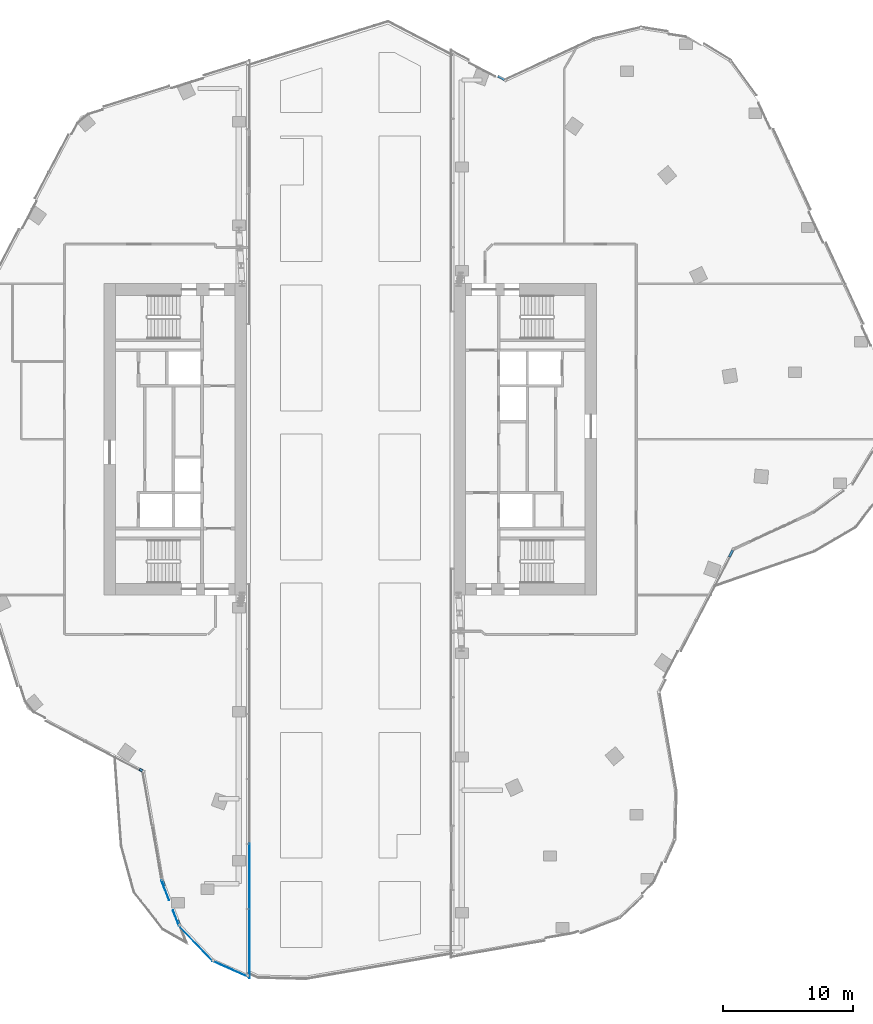
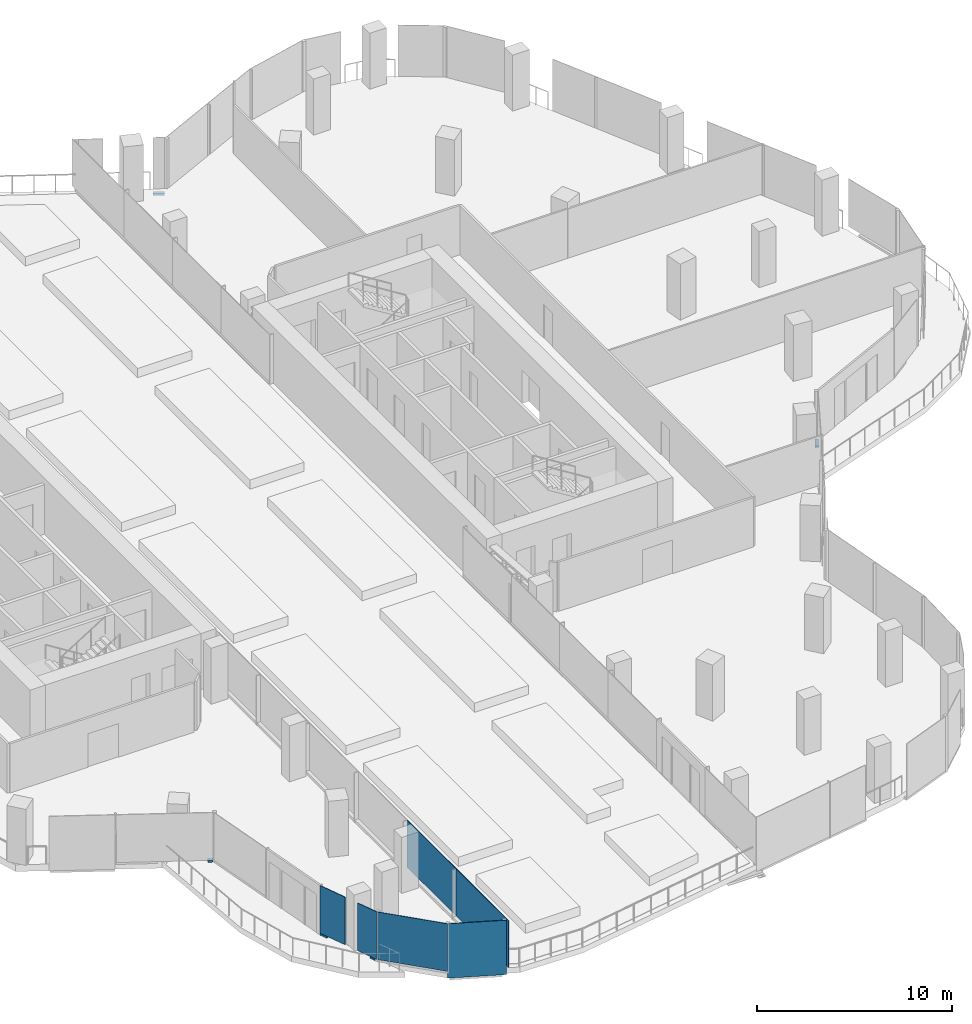
# One storey, part 12 of 26: 6 plates, 5 members, 7 elements without a shape of their own.
"""IFC4 building model written with IfcOpenShell, lengths in metres."""

from ifc_helpers import new_model, si_unit, direction, frame, origin, origin_2d, place, context, subcontext, project, spatial, rectangle, extrude, material, layer, layer_set, material_profile, profile_set, type_object, element, aggregate, save


model = new_model("IFC4")

# Units and contexts
model_context = context("Model", 3, precision=1e-05, world=origin(), true_north=direction((0.0, 1.0)))
body_context = subcontext(model_context, "Body", "Model", "MODEL_VIEW")
ifc_project = project(units=[si_unit("LENGTHUNIT", "METRE"), si_unit("AREAUNIT", "SQUARE_METRE"), si_unit("VOLUMEUNIT", "CUBIC_METRE"), si_unit("PLANEANGLEUNIT", "RADIAN"), si_unit("MASSUNIT", "GRAM", prefix="KILO")], contexts=[model_context])

# Site, building, storey
site_placement = place(None, origin())
site = spatial("IfcSite", under=ifc_project, at=site_placement, CompositionType="ELEMENT")
building_placement = place(site_placement, origin())
building = spatial("IfcBuilding", under=site, at=building_placement, Name="Orlundy Tower", CompositionType="ELEMENT")
storey_placement = place(building_placement, frame((0.0, 0.0, 253.5)))
storey = spatial("IfcBuildingStorey", under=building, at=storey_placement, Name="L67", CompositionType="ELEMENT", Elevation=253.5)

# Curtain wall, member
ifc_material_1 = material(Name="Aluminium bronze anodised", Category="aluminium")
curtain_wall_type = type_object("IfcCurtainWallType", Name="CW1 wall", PredefinedType="NOTDEFINED", material=ifc_material_1)
curtain_wall_1_placement = place(storey_placement, origin())
curtain_wall_1 = element("IfcCurtainWall", 1, at=curtain_wall_1_placement, inside=storey, type_object=curtain_wall_type, Name="CW1 run 00", PredefinedType="NOTDEFINED")
ifc_material_2 = material(Name="Aluminium bronze anodised", Category="aluminium")
ifc_material_profile = material_profile(ifc_material_2, rectangle(XDim=0.179931640625, YDim=0.1201171875, at=origin_2d()), Name="CW1 transom 180x120")
ifc_profile_set = profile_set([ifc_material_profile], Name="Aluminium bronze anodised")
member_type = type_object("IfcMemberType", Name="CW1 transom 180x120", PredefinedType="USERDEFINED", material=ifc_profile_set)
member_1_placement = place(storey_placement, frame((-16.02978515625, -25.5703125, 0.06005859375), z_axis=(-0.885407583862, 0.464815458478, 0.0), x_axis=(-0.464815458478, -0.885407583862, 0.0)))
member_1 = element("IfcMember", 2, at=member_1_placement, type_object=member_type, Name="CW1 transom", ObjectType="TRANSOM", PredefinedType="USERDEFINED", context=body_context, shape_type="SweptSolid", body=[
    extrude(rectangle(XDim=0.179931640625, YDim=0.1201171875, at=origin_2d()), origin(), (0.0, 0.0, 1.0), 0.259521484375),
])
aggregate(curtain_wall_1, [member_1])

# Curtain wall, members
curtain_wall_2_placement = place(storey_placement, origin())
curtain_wall_2 = element("IfcCurtainWall", 3, at=curtain_wall_2_placement, inside=storey, type_object=curtain_wall_type, Name="CW1 run 07", PredefinedType="NOTDEFINED")
member_2_placement = place(storey_placement, frame((-13.18896484375, -37.384033203125, 0.06005859375), z_axis=(-0.359663396946, 0.933082119054, 0.0), x_axis=(-0.933082119054, -0.359663396946, 0.0)))
member_2 = element("IfcMember", 4, at=member_2_placement, type_object=member_type, Name="CW1 transom", ObjectType="TRANSOM", PredefinedType="USERDEFINED", context=body_context, shape_type="SweptSolid", body=[
    extrude(rectangle(XDim=0.179931640625, YDim=0.1201171875, at=origin_2d()), origin(), (0.0, 0.0, 1.0), 0.334716796875),
])
member_3_placement = place(storey_placement, frame((-14.33349609375, -34.414306640625, 0.06005859375), z_axis=(-0.359579516774, 0.933114446955, 0.0), x_axis=(-0.933114446955, -0.359579516774, 0.0)))
member_3 = element("IfcMember", 5, at=member_3_placement, type_object=member_type, Name="CW1 transom", ObjectType="TRANSOM", PredefinedType="USERDEFINED", context=body_context, shape_type="SweptSolid", body=[
    extrude(rectangle(XDim=0.179931640625, YDim=0.1201171875, at=origin_2d()), origin(), (0.0, 0.0, 1.0), 0.435791015625),
])

# Curtain wall, member
curtain_wall_3_placement = place(storey_placement, origin())
curtain_wall_3 = element("IfcCurtainWall", 6, at=curtain_wall_3_placement, inside=storey, type_object=curtain_wall_type, Name="CW1 run 111", PredefinedType="NOTDEFINED")
member_4_placement = place(storey_placement, frame((29.49267578125, -8.548583984375, 0.06005859375), z_axis=(-0.464347177137, -0.885653261206, 0.0), x_axis=(0.885653261206, -0.464347177137, 0.0)))
member_4 = element("IfcMember", 7, at=member_4_placement, type_object=member_type, Name="CW1 transom", ObjectType="TRANSOM", PredefinedType="USERDEFINED", context=body_context, shape_type="SweptSolid", body=[
    extrude(rectangle(XDim=0.179931640625, YDim=0.1201171875, at=origin_2d()), origin(), (0.0, 0.0, 1.0), 0.58984375),
])
aggregate(curtain_wall_3, [member_4])

curtain_wall_4_placement = place(storey_placement, origin())
curtain_wall_4 = element("IfcCurtainWall", 8, at=curtain_wall_4_placement, inside=storey, type_object=curtain_wall_type, Name="CW1 run 119", PredefinedType="NOTDEFINED")
member_5_placement = place(storey_placement, frame((11.379638671875, 28.009033203125, -0.360107421875), z_axis=(0.885757329003, -0.464148633648, 0.0), x_axis=(0.464148633648, 0.885757329003, 0.0)))
member_5 = element("IfcMember", 9, at=member_5_placement, type_object=member_type, Name="CW1 transom", ObjectType="TRANSOM", PredefinedType="USERDEFINED", context=body_context, shape_type="SweptSolid", body=[
    extrude(rectangle(XDim=0.179931640625, YDim=0.1201171875, at=origin_2d()), origin(), (0.0, 0.0, 1.0), 0.57958984375),
])
aggregate(curtain_wall_4, [member_5])

# Curtain wall, plate
curtain_wall_5_placement = place(storey_placement, origin())
curtain_wall_5 = element("IfcCurtainWall", 10, at=curtain_wall_5_placement, inside=storey, type_object=curtain_wall_type, Name="CW1 run 05", PredefinedType="NOTDEFINED")
ifc_material_3 = material(Name="Tinted glass", Category="glass")
ifc_layer_1 = layer(ifc_material_3, 0.031982421875)
ifc_layer_set_1 = layer_set([ifc_layer_1], Name="CW1 glass panel 32")
plate_type_1 = type_object("IfcPlateType", Name="CW1 glass panel 32", PredefinedType="CURTAIN_PANEL", material=ifc_layer_set_1)
plate_1_placement = place(storey_placement, frame((-9.2275390625, -40.85791015625, -0.300048828125), z_axis=(0.0, 0.0, 1.0), x_axis=(-0.914125034719, 0.405432387581, 0.0)))
plate_1 = element("IfcPlate", 11, at=plate_1_placement, type_object=plate_type_1, Name="CW1 panel", PredefinedType="CURTAIN_PANEL", context=body_context, shape_type="SweptSolid", body=[
    extrude(rectangle(XDim=3.044677734375, YDim=0.031982421875, at=origin_2d()), origin(), (0.0, 0.0, 1.0), 3.39990234375),
])
aggregate(curtain_wall_5, [plate_1])

curtain_wall_6_placement = place(storey_placement, origin())
curtain_wall_6 = element("IfcCurtainWall", 12, at=curtain_wall_6_placement, inside=storey, type_object=curtain_wall_type, Name="CW1 run 06", PredefinedType="NOTDEFINED")
plate_2_placement = place(storey_placement, frame((-11.919677734375, -38.87451171875, 0.1201171875), z_axis=(0.0, 0.0, 1.0), x_axis=(-0.689493494749, 0.724291875351, 0.0)))
plate_2 = element("IfcPlate", 13, at=plate_2_placement, type_object=plate_type_1, Name="CW1 panel", PredefinedType="CURTAIN_PANEL", context=body_context, shape_type="SweptSolid", body=[
    extrude(rectangle(XDim=3.772216796875, YDim=0.031982421875, at=origin_2d()), origin(), (0.0, 0.0, 1.0), 2.97998046875),
])
aggregate(curtain_wall_6, [plate_2])

# Plate
plate_3_placement = place(storey_placement, frame((-13.44482421875, -36.92578125, 0.1201171875), z_axis=(0.0, 0.0, 1.0), x_axis=(-0.359593615358, 0.933109013885, 0.0)))
plate_3 = element("IfcPlate", 14, at=plate_3_placement, type_object=plate_type_1, Name="CW1 panel", PredefinedType="CURTAIN_PANEL", context=body_context, shape_type="SweptSolid", body=[
    extrude(rectangle(XDim=1.2490234375, YDim=0.031982421875, at=origin_2d()), origin(), (0.0, 0.0, 1.0), 2.97998046875),
])

plate_4_placement = place(storey_placement, frame((-14.267822265625, -34.7900390625, 0.1201171875), z_axis=(0.0, 0.0, 1.0), x_axis=(-0.359593615358, 0.933109013885, 0.0)))
plate_4 = element("IfcPlate", 15, at=plate_4_placement, type_object=plate_type_1, Name="CW1 panel", PredefinedType="CURTAIN_PANEL", context=body_context, shape_type="SweptSolid", body=[
    extrude(rectangle(XDim=1.634521484375, YDim=0.031982421875, at=origin_2d()), origin(), (0.0, 0.0, 1.0), 2.97998046875),
])

aggregate(curtain_wall_2, [plate_3, plate_4, member_2, member_3])

# Curtain wall, plates
curtain_wall_7_placement = place(storey_placement, origin())
curtain_wall_7 = element("IfcCurtainWall", 16, at=curtain_wall_7_placement, inside=storey, type_object=curtain_wall_type, Name="CW1 run 04", PredefinedType="NOTDEFINED")
ifc_material_4 = material(Name="Tinted glass", Category="glass")
ifc_layer_2 = layer(ifc_material_4, 0.035888671875)
ifc_layer_set_2 = layer_set([ifc_layer_2], Name="CW6 glass panel 36")
plate_type_2 = type_object("IfcPlateType", Name="CW6 glass panel 36", PredefinedType="CURTAIN_PANEL", material=ifc_layer_set_2)
plate_5_placement = place(storey_placement, frame((-7.778076171875, -33.70654296875, 0.159912109375), z_axis=(0.0, 0.0, 1.0), x_axis=(0.0, -1.0, 0.0)))
plate_5 = element("IfcPlate", 17, at=plate_5_placement, type_object=plate_type_2, Name="CW6 panel", PredefinedType="CURTAIN_PANEL", context=body_context, shape_type="SweptSolid", body=[
    extrude(rectangle(XDim=5.010986328125, YDim=0.035888671875, at=origin_2d()), origin(), (0.0, 0.0, 1.0), 2.93994140625),
])
plate_6_placement = place(storey_placement, frame((-7.778076171875, -38.88818359375, 0.159912109375), z_axis=(0.0, 0.0, 1.0), x_axis=(0.0, -1.0, 0.0)))
plate_6 = element("IfcPlate", 18, at=plate_6_placement, type_object=plate_type_2, Name="CW6 panel", PredefinedType="CURTAIN_PANEL", context=body_context, shape_type="SweptSolid", body=[
    extrude(rectangle(XDim=5.352294921875, YDim=0.035888671875, at=origin_2d()), origin(), (0.0, 0.0, 1.0), 2.93994140625),
])
aggregate(curtain_wall_7, [plate_5, plate_6])

save(model, "model.ifc")
